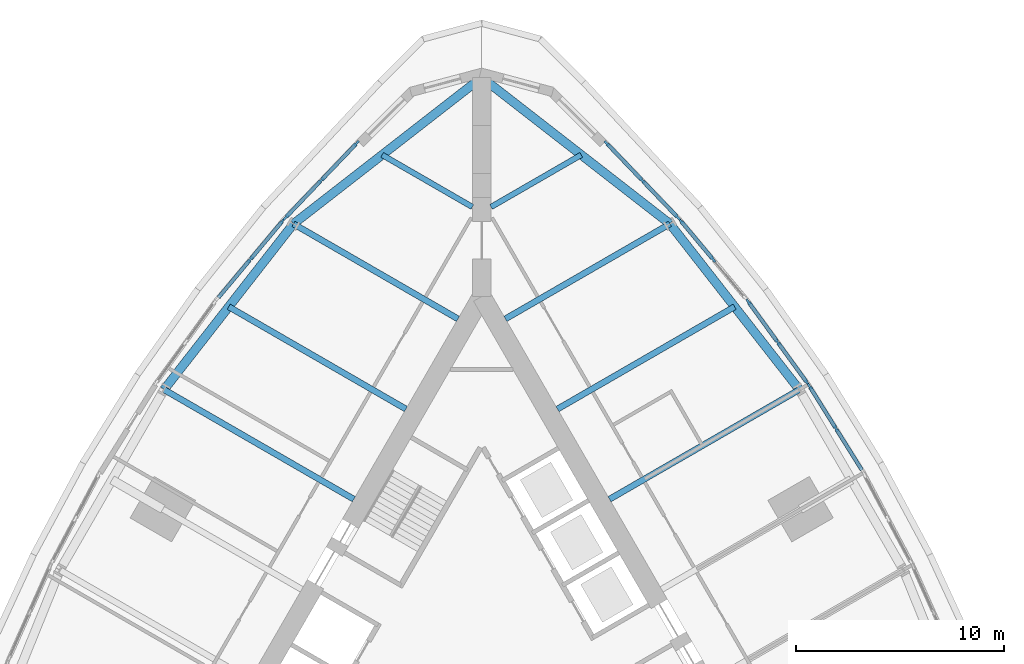
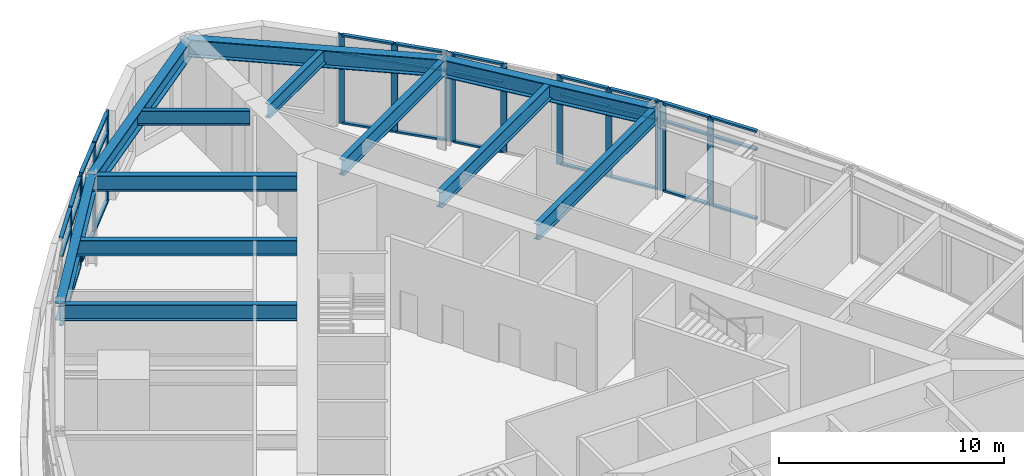
# One storey, part 5 of 14: 48 members, 12 beams, 6 elements without a shape of their own.
"""IFC4 building model written with IfcOpenShell, lengths in metres."""

from ifc_helpers import new_model, si_unit, direction, frame, origin, origin_2d, place, context, subcontext, project, spatial, rectangle, i_section, extrude, material, material_profile, profile_set, type_object, element, aggregate, save


model = new_model("IFC4")

# Units and contexts
model_context = context("Model", 3, precision=1e-05, world=origin(), true_north=direction((0.0, 1.0)))
body_context = subcontext(model_context, "Body", "Model", "MODEL_VIEW")
ifc_project = project(units=[si_unit("LENGTHUNIT", "METRE"), si_unit("AREAUNIT", "SQUARE_METRE"), si_unit("VOLUMEUNIT", "CUBIC_METRE"), si_unit("PLANEANGLEUNIT", "RADIAN"), si_unit("MASSUNIT", "GRAM", prefix="KILO")], contexts=[model_context])

# Site, building, storey
site_placement = place(None, origin())
site = spatial("IfcSite", under=ifc_project, at=site_placement, CompositionType="ELEMENT")
building_placement = place(site_placement, origin())
building = spatial("IfcBuilding", under=site, at=building_placement, Name="Trikona Tower", CompositionType="ELEMENT")
storey_placement = place(building_placement, frame((0.0, 0.0, 109.699951171875)))
storey = spatial("IfcBuildingStorey", under=building, at=storey_placement, Name="L28", CompositionType="ELEMENT", Elevation=109.699951171875)

# Curtain wall, members
ifc_material_1 = material(Name="Aluminium curtain wall system", Category="aluminium")
curtain_wall_type = type_object("IfcCurtainWallType", Name="Curtain wall SL", PredefinedType="NOTDEFINED", material=ifc_material_1)
curtain_wall_1_placement = place(storey_placement, origin())
curtain_wall_1 = element("IfcCurtainWall", 1, at=curtain_wall_1_placement, inside=storey, type_object=curtain_wall_type, Name="Curtain wall SL L28", PredefinedType="NOTDEFINED")
ifc_material_2 = material(Name="Aluminium mullion, pale anodised", Category="aluminium")
ifc_material_profile_1 = material_profile(ifc_material_2, rectangle(XDim=0.10009765625, YDim=0.300048828125, at=origin_2d()), Name="MUL-SL")
ifc_profile_set_1 = profile_set([ifc_material_profile_1], Name="Aluminium mullion, pale anodised")
member_type_1 = type_object("IfcMemberType", Name="Mullion SL 100x300", PredefinedType="MULLION", material=ifc_profile_set_1)
member_1_placement = place(storey_placement, frame((17.014404296875, 12.705810546875, 0.0), z_axis=(0.0, 0.0, 1.0), x_axis=(-0.847998304006, -0.529998940002, 0.0)))
member_1 = element("IfcMember", 2, at=member_1_placement, type_object=member_type_1, Name="CW-SL mullion 2", PredefinedType="MULLION", context=body_context, shape_type="SweptSolid", body=[
    extrude(rectangle(XDim=0.10009765625, YDim=0.300048828125, at=origin_2d()), origin(), (0.0, 0.0, 1.0), 4.8349609375),
])
member_2_placement = place(storey_placement, frame((15.746826171875, 14.73388671875, 0.0), z_axis=(0.0, 0.0, 1.0), x_axis=(-0.847998304006, -0.529998940002, 0.0)))
member_2 = element("IfcMember", 3, at=member_2_placement, type_object=member_type_1, Name="CW-SL mullion 3", PredefinedType="MULLION", context=body_context, shape_type="SweptSolid", body=[
    extrude(rectangle(XDim=0.10009765625, YDim=0.300048828125, at=origin_2d()), origin(), (0.0, 0.0, 1.0), 4.8349609375),
])

curtain_wall_2_placement = place(storey_placement, origin())
curtain_wall_2 = element("IfcCurtainWall", 4, at=curtain_wall_2_placement, inside=storey, type_object=curtain_wall_type, Name="Curtain wall SL L28", PredefinedType="NOTDEFINED")
member_3_placement = place(storey_placement, frame((15.627685546875, 14.910400390625, 0.0), z_axis=(0.0, 0.0, 1.0), x_axis=(-0.809095452388, -0.587677248943, 0.0)))
member_3 = element("IfcMember", 5, at=member_3_placement, type_object=member_type_1, Name="CW-SL mullion 1", PredefinedType="MULLION", context=body_context, shape_type="SweptSolid", body=[
    extrude(rectangle(XDim=0.10009765625, YDim=0.300048828125, at=origin_2d()), origin(), (0.0, 0.0, 1.0), 4.8349609375),
])
member_4_placement = place(storey_placement, frame((14.215087890625, 16.855224609375, 0.0), z_axis=(0.0, 0.0, 1.0), x_axis=(-0.809095452388, -0.587677248943, 0.0)))
member_4 = element("IfcMember", 6, at=member_4_placement, type_object=member_type_1, Name="CW-SL mullion 2", PredefinedType="MULLION", context=body_context, shape_type="SweptSolid", body=[
    extrude(rectangle(XDim=0.10009765625, YDim=0.300048828125, at=origin_2d()), origin(), (0.0, 0.0, 1.0), 4.8349609375),
])
member_5_placement = place(storey_placement, frame((12.802490234375, 18.800048828125, 0.0), z_axis=(0.0, 0.0, 1.0), x_axis=(-0.809095452388, -0.587677248943, 0.0)))
member_5 = element("IfcMember", 7, at=member_5_placement, type_object=member_type_1, Name="CW-SL mullion 3", PredefinedType="MULLION", context=body_context, shape_type="SweptSolid", body=[
    extrude(rectangle(XDim=0.10009765625, YDim=0.300048828125, at=origin_2d()), origin(), (0.0, 0.0, 1.0), 4.8349609375),
])

curtain_wall_3_placement = place(storey_placement, origin())
curtain_wall_3 = element("IfcCurtainWall", 8, at=curtain_wall_3_placement, inside=storey, type_object=curtain_wall_type, Name="Curtain wall SL L28", PredefinedType="NOTDEFINED")
member_6_placement = place(storey_placement, frame((11.113037109375, 20.830078125, 0.0), z_axis=(0.0, 0.0, 1.0), x_axis=(-0.766866678271, -0.641806433248, 0.0)))
member_6 = element("IfcMember", 9, at=member_6_placement, type_object=member_type_1, Name="CW-SL mullion 2", PredefinedType="MULLION", context=body_context, shape_type="SweptSolid", body=[
    extrude(rectangle(XDim=0.10009765625, YDim=0.300048828125, at=origin_2d()), origin(), (0.0, 0.0, 1.0), 4.8349609375),
])
member_7_placement = place(storey_placement, frame((9.5546875, 22.69189453125, 0.0), z_axis=(0.0, 0.0, 1.0), x_axis=(-0.766866678271, -0.641806433248, 0.0)))
member_7 = element("IfcMember", 10, at=member_7_placement, type_object=member_type_1, Name="CW-SL mullion 3", PredefinedType="MULLION", context=body_context, shape_type="SweptSolid", body=[
    extrude(rectangle(XDim=0.10009765625, YDim=0.300048828125, at=origin_2d()), origin(), (0.0, 0.0, 1.0), 4.8349609375),
])

curtain_wall_4_placement = place(storey_placement, origin())
curtain_wall_4 = element("IfcCurtainWall", 11, at=curtain_wall_4_placement, inside=storey, type_object=curtain_wall_type, Name="Curtain wall SL L28", PredefinedType="NOTDEFINED")
member_8_placement = place(storey_placement, frame((9.41259765625, 22.850830078125, 0.0), z_axis=(0.0, 0.0, 1.0), x_axis=(-0.722158330767, -0.691727797117, 0.0)))
member_8 = element("IfcMember", 12, at=member_8_placement, type_object=member_type_1, Name="CW-SL mullion 1", PredefinedType="MULLION", context=body_context, shape_type="SweptSolid", body=[
    extrude(rectangle(XDim=0.10009765625, YDim=0.300048828125, at=origin_2d()), origin(), (0.0, 0.0, 1.0), 4.8349609375),
])
member_9_placement = place(storey_placement, frame((7.708251953125, 24.630126953125, 0.0), z_axis=(0.0, 0.0, 1.0), x_axis=(-0.722158330767, -0.691727797117, 0.0)))
member_9 = element("IfcMember", 13, at=member_9_placement, type_object=member_type_1, Name="CW-SL mullion 2", PredefinedType="MULLION", context=body_context, shape_type="SweptSolid", body=[
    extrude(rectangle(XDim=0.10009765625, YDim=0.300048828125, at=origin_2d()), origin(), (0.0, 0.0, 1.0), 4.8349609375),
])
member_10_placement = place(storey_placement, frame((6.00390625, 26.409423828125, 0.0), z_axis=(0.0, 0.0, 1.0), x_axis=(-0.722158330767, -0.691727797117, 0.0)))
member_10 = element("IfcMember", 14, at=member_10_placement, type_object=member_type_1, Name="CW-SL mullion 3", PredefinedType="MULLION", context=body_context, shape_type="SweptSolid", body=[
    extrude(rectangle(XDim=0.10009765625, YDim=0.300048828125, at=origin_2d()), origin(), (0.0, 0.0, 1.0), 4.8349609375),
])

curtain_wall_5_placement = place(storey_placement, origin())
curtain_wall_5 = element("IfcCurtainWall", 15, at=curtain_wall_5_placement, inside=storey, type_object=curtain_wall_type, Name="Curtain wall SL L28", PredefinedType="NOTDEFINED")
member_11_placement = place(storey_placement, frame((-6.00390625, 26.409423828125, 0.0), z_axis=(0.0, 0.0, 1.0), x_axis=(0.722158330767, -0.691727797117, 0.0)))
member_11 = element("IfcMember", 16, at=member_11_placement, type_object=member_type_1, Name="CW-SL mullion 1", PredefinedType="MULLION", context=body_context, shape_type="SweptSolid", body=[
    extrude(rectangle(XDim=0.10009765625, YDim=0.300048828125, at=origin_2d()), origin(), (0.0, 0.0, 1.0), 4.8349609375),
])
member_12_placement = place(storey_placement, frame((-7.708251953125, 24.630126953125, 0.0), z_axis=(0.0, 0.0, 1.0), x_axis=(0.722158330767, -0.691727797117, 0.0)))
member_12 = element("IfcMember", 17, at=member_12_placement, type_object=member_type_1, Name="CW-SL mullion 2", PredefinedType="MULLION", context=body_context, shape_type="SweptSolid", body=[
    extrude(rectangle(XDim=0.10009765625, YDim=0.300048828125, at=origin_2d()), origin(), (0.0, 0.0, 1.0), 4.8349609375),
])
member_13_placement = place(storey_placement, frame((-9.41259765625, 22.850830078125, 0.0), z_axis=(0.0, 0.0, 1.0), x_axis=(0.722158330767, -0.691727797117, 0.0)))
member_13 = element("IfcMember", 18, at=member_13_placement, type_object=member_type_1, Name="CW-SL mullion 3", PredefinedType="MULLION", context=body_context, shape_type="SweptSolid", body=[
    extrude(rectangle(XDim=0.10009765625, YDim=0.300048828125, at=origin_2d()), origin(), (0.0, 0.0, 1.0), 4.8349609375),
])

curtain_wall_6_placement = place(storey_placement, origin())
curtain_wall_6 = element("IfcCurtainWall", 19, at=curtain_wall_6_placement, inside=storey, type_object=curtain_wall_type, Name="Curtain wall SL L28", PredefinedType="NOTDEFINED")
member_14_placement = place(storey_placement, frame((-9.5546875, 22.69189453125, 0.0), z_axis=(0.0, 0.0, 1.0), x_axis=(0.766866678271, -0.641806433248, 0.0)))
member_14 = element("IfcMember", 20, at=member_14_placement, type_object=member_type_1, Name="CW-SL mullion 1", PredefinedType="MULLION", context=body_context, shape_type="SweptSolid", body=[
    extrude(rectangle(XDim=0.10009765625, YDim=0.300048828125, at=origin_2d()), origin(), (0.0, 0.0, 1.0), 4.8349609375),
])
member_15_placement = place(storey_placement, frame((-11.113037109375, 20.830078125, 0.0), z_axis=(0.0, 0.0, 1.0), x_axis=(0.766866678271, -0.641806433248, 0.0)))
member_15 = element("IfcMember", 21, at=member_15_placement, type_object=member_type_1, Name="CW-SL mullion 2", PredefinedType="MULLION", context=body_context, shape_type="SweptSolid", body=[
    extrude(rectangle(XDim=0.10009765625, YDim=0.300048828125, at=origin_2d()), origin(), (0.0, 0.0, 1.0), 4.8349609375),
])

# Beams
ifc_material_3 = material(Name="Steel ASTM A992 Grade 50", Category="steel")
ifc_material_profile_2 = material_profile(ifc_material_3, i_section(OverallWidth=0.2666015625, OverallDepth=0.76953125, WebThickness=0.015625, FlangeThickness=0.025390625, at=origin_2d()), Name="W30X132")
ifc_profile_set_2 = profile_set([ifc_material_profile_2], Name="Steel ASTM A992 Grade 50")
beam_type_1 = type_object("IfcBeamType", Name="Steel beam W30x132 (wedge)", PredefinedType="BEAM", material=ifc_profile_set_2)
for number, where, z_axis, x_axis, name in (
    (22, (0.449951171875, 23.353759765625, 4.4501953125), (0.866038434829, 0.49997742889, 0.0), (-0.49997742889, 0.866038434829, 0.0), "Floor beam L29 F2 u20"),
    (23, (-0.449951171875, 23.353759765625, 4.4501953125), (-0.866038434829, 0.49997742889, 0.0), (-0.49997742889, -0.866038434829, 0.0), "Floor beam L29 F3 u-20"),
):
    element("IfcBeam", number, at=place(storey_placement, frame(where, z_axis=z_axis, x_axis=x_axis)), inside=storey, type_object=beam_type_1, Name=name, PredefinedType="BEAM", context=body_context, shape_type="SweptSolid", body=[
        extrude(i_section(OverallWidth=0.2666015625, OverallDepth=0.76953125, WebThickness=0.015625, FlangeThickness=0.025390625, at=origin_2d()), origin(), (0.0, 0.0, 1.0), 5.000732421875),
    ])
ifc_material_4 = material(Name="Steel ASTM A992 Grade 50", Category="steel")
ifc_material_profile_3 = material_profile(ifc_material_4, i_section(OverallWidth=0.2919921875, OverallDepth=0.845703125, WebThickness=0.015380859375, FlangeThickness=0.0244140625, at=origin_2d()), Name="W33X141")
ifc_profile_set_3 = profile_set([ifc_material_profile_3], Name="Steel ASTM A992 Grade 50")
beam_type_2 = type_object("IfcBeamType", Name="Steel beam W33x141 (radial typ)", PredefinedType="BEAM", material=ifc_profile_set_3)
beam_1_placement = place(storey_placement, frame((6.1396484375, 9.318359375, 4.412109375), z_axis=(0.866036080828, 0.499981506362, 0.0), x_axis=(-0.499981506362, 0.866036080828, 0.0)))
element("IfcBeam", 24, at=beam_1_placement, inside=storey, type_object=beam_type_2, Name="Floor beam L29 F2 u5", PredefinedType="BEAM", context=body_context, shape_type="SweptSolid", body=[
    extrude(i_section(OverallWidth=0.2919921875, OverallDepth=0.845703125, WebThickness=0.015380859375, FlangeThickness=0.0244140625, at=origin_2d()), origin(), (0.0, 0.0, 1.0), 10.52392578125),
])
beam_2_placement = place(storey_placement, frame((3.6396484375, 13.6484375, 4.412109375), z_axis=(0.866030807744, 0.499990639951, 0.0), x_axis=(-0.499990639951, 0.866030807744, 0.0)))
element("IfcBeam", 25, at=beam_2_placement, inside=storey, type_object=beam_type_2, Name="Floor beam L29 F2 u10", PredefinedType="BEAM", context=body_context, shape_type="SweptSolid", body=[
    extrude(i_section(OverallWidth=0.2919921875, OverallDepth=0.845703125, WebThickness=0.015380859375, FlangeThickness=0.0244140625, at=origin_2d()), origin(), (0.0, 0.0, 1.0), 9.823974609375),
])
for number, where, z_axis, x_axis, name in (
    (26, (1.1396484375, 17.978515625, 4.412109375), (0.866024725532, 0.500001174766, 0.0), (-0.500001174766, 0.866024725532, 0.0), "Floor beam L29 F2 u15"),
    (27, (-1.1396484375, 17.978515625, 4.412109375), (-0.866024725532, 0.500001174766, 0.0), (-0.500001174766, -0.866024725532, 0.0), "Floor beam L29 F3 u-15"),
):
    element("IfcBeam", number, at=place(storey_placement, frame(where, z_axis=z_axis, x_axis=x_axis)), inside=storey, type_object=beam_type_2, Name=name, PredefinedType="BEAM", context=body_context, shape_type="SweptSolid", body=[
        extrude(i_section(OverallWidth=0.2919921875, OverallDepth=0.845703125, WebThickness=0.015380859375, FlangeThickness=0.0244140625, at=origin_2d()), origin(), (0.0, 0.0, 1.0), 9.1240234375),
    ])
beam_3_placement = place(storey_placement, frame((-3.6396484375, 13.6484375, 4.412109375), z_axis=(-0.866030807744, 0.499990639951, 0.0), x_axis=(-0.499990639951, -0.866030807744, 0.0)))
element("IfcBeam", 28, at=beam_3_placement, inside=storey, type_object=beam_type_2, Name="Floor beam L29 F3 u-10", PredefinedType="BEAM", context=body_context, shape_type="SweptSolid", body=[
    extrude(i_section(OverallWidth=0.2919921875, OverallDepth=0.845703125, WebThickness=0.015380859375, FlangeThickness=0.0244140625, at=origin_2d()), origin(), (0.0, 0.0, 1.0), 9.823974609375),
])
beam_4_placement = place(storey_placement, frame((-6.1396484375, 9.318359375, 4.412109375), z_axis=(-0.866036080828, 0.499981506362, 0.0), x_axis=(-0.499981506362, -0.866036080828, 0.0)))
element("IfcBeam", 29, at=beam_4_placement, inside=storey, type_object=beam_type_2, Name="Floor beam L29 F3 u-5", PredefinedType="BEAM", context=body_context, shape_type="SweptSolid", body=[
    extrude(i_section(OverallWidth=0.2919921875, OverallDepth=0.845703125, WebThickness=0.015380859375, FlangeThickness=0.0244140625, at=origin_2d()), origin(), (0.0, 0.0, 1.0), 10.52392578125),
])
ifc_material_5 = material(Name="Steel ASTM A992 Grade 50", Category="steel")
ifc_material_profile_4 = material_profile(ifc_material_5, i_section(OverallWidth=0.424072265625, OverallDepth=0.947509765625, WebThickness=0.02392578125, FlangeThickness=0.042724609375, at=origin_2d()), Name="W36X302")
ifc_profile_set_4 = profile_set([ifc_material_profile_4], Name="Steel ASTM A992 Grade 50")
beam_type_3 = type_object("IfcBeamType", Name="Steel beam W36x302 (spandrel)", PredefinedType="SPANDREL", material=ifc_profile_set_4)
beam_5_placement = place(storey_placement, frame((15.253662109375, 14.580078125, 4.361328125), z_axis=(-0.615232009054, 0.788346101046, 0.0), x_axis=(-0.788346101046, -0.615232009054, 0.0)))
element("IfcBeam", 30, at=beam_5_placement, inside=storey, type_object=beam_type_3, Name="Spandrel beam L29 F2-4", PredefinedType="SPANDREL", context=body_context, shape_type="SweptSolid", body=[
    extrude(i_section(OverallWidth=0.424072265625, OverallDepth=0.947509765625, WebThickness=0.02392578125, FlangeThickness=0.042724609375, at=origin_2d()), origin(), (0.0, 0.0, 1.0), 10.09765625),
])
for number, where, z_axis, x_axis, name in (
    (31, (9.041259765625, 22.54052734375, 4.361328125), (-0.789367137808, 0.613921429621, 0.0), (-0.613921429621, -0.789367137808, 0.0), "Spandrel beam L29 F2-5"),
    (32, (0.0, 29.572265625, 4.361328125), (-0.789367137808, -0.613921429621, 0.0), (0.613921429621, -0.789367137808, 0.0), "Spandrel beam L29 F3-1"),
):
    element("IfcBeam", number, at=place(storey_placement, frame(where, z_axis=z_axis, x_axis=x_axis)), inside=storey, type_object=beam_type_3, Name=name, PredefinedType="SPANDREL", context=body_context, shape_type="SweptSolid", body=[
        extrude(i_section(OverallWidth=0.424072265625, OverallDepth=0.947509765625, WebThickness=0.02392578125, FlangeThickness=0.042724609375, at=origin_2d()), origin(), (0.0, 0.0, 1.0), 11.453857421875),
    ])
beam_6_placement = place(storey_placement, frame((-9.041259765625, 22.54052734375, 4.361328125), z_axis=(-0.615232009054, -0.788346101046, 0.0), x_axis=(0.788346101046, -0.615232009054, 0.0)))
element("IfcBeam", 33, at=beam_6_placement, inside=storey, type_object=beam_type_3, Name="Spandrel beam L29 F3-2", PredefinedType="SPANDREL", context=body_context, shape_type="SweptSolid", body=[
    extrude(i_section(OverallWidth=0.424072265625, OverallDepth=0.947509765625, WebThickness=0.02392578125, FlangeThickness=0.042724609375, at=origin_2d()), origin(), (0.0, 0.0, 1.0), 10.09765625),
])

# Member
ifc_material_6 = material(Name="Aluminium transom, pale anodised", Category="aluminium")
ifc_material_profile_5 = material_profile(ifc_material_6, rectangle(XDim=0.179931640625, YDim=0.10009765625, at=origin_2d()), Name="TRN-SL")
ifc_profile_set_5 = profile_set([ifc_material_profile_5], Name="Aluminium transom, pale anodised")
member_type_2 = type_object("IfcMemberType", Name="Transom SL 100x180", PredefinedType="USERDEFINED", material=ifc_profile_set_5)
member_16_placement = place(storey_placement, frame((18.25537109375, 10.72021484375, 0.050048828125), z_axis=(-0.529998940003, 0.847998304005, 0.0), x_axis=(-0.847998304005, -0.529998940003, 0.0)))
member_16 = element("IfcMember", 34, at=member_16_placement, type_object=member_type_2, Name="CW-SL transom 1.1", ObjectType="TRANSOM", PredefinedType="USERDEFINED", context=body_context, shape_type="SweptSolid", body=[
    extrude(rectangle(XDim=0.179931640625, YDim=0.10009765625, at=origin_2d()), origin(), (0.0, 0.0, 1.0), 2.291748046875),
])

member_17_placement = place(storey_placement, frame((18.25537109375, 10.72021484375, 3.800048828125), z_axis=(-0.529998940003, 0.847998304005, 0.0), x_axis=(-0.847998304005, -0.529998940003, 0.0)))
member_17 = element("IfcMember", 35, at=member_17_placement, type_object=member_type_2, Name="CW-SL transom 1.2", ObjectType="TRANSOM", PredefinedType="USERDEFINED", context=body_context, shape_type="SweptSolid", body=[
    extrude(rectangle(XDim=0.179931640625, YDim=0.10009765625, at=origin_2d()), origin(), (0.0, 0.0, 1.0), 2.291748046875),
])

member_18_placement = place(storey_placement, frame((18.25537109375, 10.72021484375, 4.78515625), z_axis=(-0.529998940003, 0.847998304005, 0.0), x_axis=(-0.847998304005, -0.529998940003, 0.0)))
member_18 = element("IfcMember", 36, at=member_18_placement, type_object=member_type_2, Name="CW-SL transom 1.3", ObjectType="TRANSOM", PredefinedType="USERDEFINED", context=body_context, shape_type="SweptSolid", body=[
    extrude(rectangle(XDim=0.179931640625, YDim=0.10009765625, at=origin_2d()), origin(), (0.0, 0.0, 1.0), 2.291748046875),
])

member_19_placement = place(storey_placement, frame((16.98779296875, 12.748291015625, 0.050048828125), z_axis=(-0.530046823237, 0.847968375104, 0.0), x_axis=(-0.847968375104, -0.530046823237, 0.0)))
member_19 = element("IfcMember", 37, at=member_19_placement, type_object=member_type_2, Name="CW-SL transom 2.1", ObjectType="TRANSOM", PredefinedType="USERDEFINED", context=body_context, shape_type="SweptSolid", body=[
    extrude(rectangle(XDim=0.179931640625, YDim=0.10009765625, at=origin_2d()), origin(), (0.0, 0.0, 1.0), 2.29150390625),
])

member_20_placement = place(storey_placement, frame((16.98779296875, 12.748291015625, 3.800048828125), z_axis=(-0.530046823237, 0.847968375104, 0.0), x_axis=(-0.847968375104, -0.530046823237, 0.0)))
member_20 = element("IfcMember", 38, at=member_20_placement, type_object=member_type_2, Name="CW-SL transom 2.2", ObjectType="TRANSOM", PredefinedType="USERDEFINED", context=body_context, shape_type="SweptSolid", body=[
    extrude(rectangle(XDim=0.179931640625, YDim=0.10009765625, at=origin_2d()), origin(), (0.0, 0.0, 1.0), 2.29150390625),
])

member_21_placement = place(storey_placement, frame((16.98779296875, 12.748291015625, 4.78515625), z_axis=(-0.530046823237, 0.847968375104, 0.0), x_axis=(-0.847968375104, -0.530046823237, 0.0)))
member_21 = element("IfcMember", 39, at=member_21_placement, type_object=member_type_2, Name="CW-SL transom 2.3", ObjectType="TRANSOM", PredefinedType="USERDEFINED", context=body_context, shape_type="SweptSolid", body=[
    extrude(rectangle(XDim=0.179931640625, YDim=0.10009765625, at=origin_2d()), origin(), (0.0, 0.0, 1.0), 2.29150390625),
])

aggregate(curtain_wall_1, [member_1, member_2, member_16, member_17, member_18, member_19, member_20, member_21])

member_22_placement = place(storey_placement, frame((15.598388671875, 14.950927734375, 0.050048828125), z_axis=(-0.587705335322, 0.809075051422, 0.0), x_axis=(-0.809075051422, -0.587705335322, 0.0)))
member_22 = element("IfcMember", 40, at=member_22_placement, type_object=member_type_2, Name="CW-SL transom 1.1", ObjectType="TRANSOM", PredefinedType="USERDEFINED", context=body_context, shape_type="SweptSolid", body=[
    extrude(rectangle(XDim=0.179931640625, YDim=0.10009765625, at=origin_2d()), origin(), (0.0, 0.0, 1.0), 2.303955078125),
])

member_23_placement = place(storey_placement, frame((15.598388671875, 14.950927734375, 3.800048828125), z_axis=(-0.587705335322, 0.809075051422, 0.0), x_axis=(-0.809075051422, -0.587705335322, 0.0)))
member_23 = element("IfcMember", 41, at=member_23_placement, type_object=member_type_2, Name="CW-SL transom 1.2", ObjectType="TRANSOM", PredefinedType="USERDEFINED", context=body_context, shape_type="SweptSolid", body=[
    extrude(rectangle(XDim=0.179931640625, YDim=0.10009765625, at=origin_2d()), origin(), (0.0, 0.0, 1.0), 2.303955078125),
])

member_24_placement = place(storey_placement, frame((15.598388671875, 14.950927734375, 4.78515625), z_axis=(-0.587705335322, 0.809075051422, 0.0), x_axis=(-0.809075051422, -0.587705335322, 0.0)))
member_24 = element("IfcMember", 42, at=member_24_placement, type_object=member_type_2, Name="CW-SL transom 1.3", ObjectType="TRANSOM", PredefinedType="USERDEFINED", context=body_context, shape_type="SweptSolid", body=[
    extrude(rectangle(XDim=0.179931640625, YDim=0.10009765625, at=origin_2d()), origin(), (0.0, 0.0, 1.0), 2.303955078125),
])

member_25_placement = place(storey_placement, frame((14.185791015625, 16.895751953125, 0.050048828125), z_axis=(-0.587705335322, 0.809075051422, 0.0), x_axis=(-0.809075051422, -0.587705335322, 0.0)))
member_25 = element("IfcMember", 43, at=member_25_placement, type_object=member_type_2, Name="CW-SL transom 2.1", ObjectType="TRANSOM", PredefinedType="USERDEFINED", context=body_context, shape_type="SweptSolid", body=[
    extrude(rectangle(XDim=0.179931640625, YDim=0.10009765625, at=origin_2d()), origin(), (0.0, 0.0, 1.0), 2.303955078125),
])

member_26_placement = place(storey_placement, frame((14.185791015625, 16.895751953125, 3.800048828125), z_axis=(-0.587705335322, 0.809075051422, 0.0), x_axis=(-0.809075051422, -0.587705335322, 0.0)))
member_26 = element("IfcMember", 44, at=member_26_placement, type_object=member_type_2, Name="CW-SL transom 2.2", ObjectType="TRANSOM", PredefinedType="USERDEFINED", context=body_context, shape_type="SweptSolid", body=[
    extrude(rectangle(XDim=0.179931640625, YDim=0.10009765625, at=origin_2d()), origin(), (0.0, 0.0, 1.0), 2.303955078125),
])

member_27_placement = place(storey_placement, frame((14.185791015625, 16.895751953125, 4.78515625), z_axis=(-0.587705335322, 0.809075051422, 0.0), x_axis=(-0.809075051422, -0.587705335322, 0.0)))
member_27 = element("IfcMember", 45, at=member_27_placement, type_object=member_type_2, Name="CW-SL transom 2.3", ObjectType="TRANSOM", PredefinedType="USERDEFINED", context=body_context, shape_type="SweptSolid", body=[
    extrude(rectangle(XDim=0.179931640625, YDim=0.10009765625, at=origin_2d()), origin(), (0.0, 0.0, 1.0), 2.303955078125),
])

aggregate(curtain_wall_2, [member_3, member_4, member_5, member_22, member_23, member_24, member_25, member_26, member_27])

member_28_placement = place(storey_placement, frame((11.0810546875, 20.868408203125, 0.050048828125), z_axis=(-0.641833409879, 0.766844100169, 0.0), x_axis=(-0.766844100169, -0.641833409879, 0.0)))
member_28 = element("IfcMember", 46, at=member_28_placement, type_object=member_type_2, Name="CW-SL transom 2.1", ObjectType="TRANSOM", PredefinedType="USERDEFINED", context=body_context, shape_type="SweptSolid", body=[
    extrude(rectangle(XDim=0.179931640625, YDim=0.10009765625, at=origin_2d()), origin(), (0.0, 0.0, 1.0), 2.327880859375),
])

member_29_placement = place(storey_placement, frame((11.0810546875, 20.868408203125, 3.800048828125), z_axis=(-0.641833409879, 0.766844100169, 0.0), x_axis=(-0.766844100169, -0.641833409879, 0.0)))
member_29 = element("IfcMember", 47, at=member_29_placement, type_object=member_type_2, Name="CW-SL transom 2.2", ObjectType="TRANSOM", PredefinedType="USERDEFINED", context=body_context, shape_type="SweptSolid", body=[
    extrude(rectangle(XDim=0.179931640625, YDim=0.10009765625, at=origin_2d()), origin(), (0.0, 0.0, 1.0), 2.327880859375),
])

member_30_placement = place(storey_placement, frame((11.0810546875, 20.868408203125, 4.78515625), z_axis=(-0.641833409879, 0.766844100169, 0.0), x_axis=(-0.766844100169, -0.641833409879, 0.0)))
member_30 = element("IfcMember", 48, at=member_30_placement, type_object=member_type_2, Name="CW-SL transom 2.3", ObjectType="TRANSOM", PredefinedType="USERDEFINED", context=body_context, shape_type="SweptSolid", body=[
    extrude(rectangle(XDim=0.179931640625, YDim=0.10009765625, at=origin_2d()), origin(), (0.0, 0.0, 1.0), 2.327880859375),
])

aggregate(curtain_wall_3, [member_6, member_7, member_28, member_29, member_30])

member_31_placement = place(storey_placement, frame((9.3779296875, 22.886962890625, 0.050048828125), z_axis=(-0.691707925126, 0.722177364862, 0.0), x_axis=(-0.722177364862, -0.691707925126, 0.0)))
member_31 = element("IfcMember", 49, at=member_31_placement, type_object=member_type_2, Name="CW-SL transom 1.1", ObjectType="TRANSOM", PredefinedType="USERDEFINED", context=body_context, shape_type="SweptSolid", body=[
    extrude(rectangle(XDim=0.179931640625, YDim=0.10009765625, at=origin_2d()), origin(), (0.0, 0.0, 1.0), 2.36376953125),
])

member_32_placement = place(storey_placement, frame((9.3779296875, 22.886962890625, 3.800048828125), z_axis=(-0.691707925126, 0.722177364862, 0.0), x_axis=(-0.722177364862, -0.691707925126, 0.0)))
member_32 = element("IfcMember", 50, at=member_32_placement, type_object=member_type_2, Name="CW-SL transom 1.2", ObjectType="TRANSOM", PredefinedType="USERDEFINED", context=body_context, shape_type="SweptSolid", body=[
    extrude(rectangle(XDim=0.179931640625, YDim=0.10009765625, at=origin_2d()), origin(), (0.0, 0.0, 1.0), 2.36376953125),
])

member_33_placement = place(storey_placement, frame((9.3779296875, 22.886962890625, 4.78515625), z_axis=(-0.691707925126, 0.722177364862, 0.0), x_axis=(-0.722177364862, -0.691707925126, 0.0)))
member_33 = element("IfcMember", 51, at=member_33_placement, type_object=member_type_2, Name="CW-SL transom 1.3", ObjectType="TRANSOM", PredefinedType="USERDEFINED", context=body_context, shape_type="SweptSolid", body=[
    extrude(rectangle(XDim=0.179931640625, YDim=0.10009765625, at=origin_2d()), origin(), (0.0, 0.0, 1.0), 2.36376953125),
])

member_34_placement = place(storey_placement, frame((7.673583984375, 24.666259765625, 0.050048828125), z_axis=(-0.691707925126, 0.722177364862, 0.0), x_axis=(-0.722177364862, -0.691707925126, 0.0)))
member_34 = element("IfcMember", 52, at=member_34_placement, type_object=member_type_2, Name="CW-SL transom 2.1", ObjectType="TRANSOM", PredefinedType="USERDEFINED", context=body_context, shape_type="SweptSolid", body=[
    extrude(rectangle(XDim=0.179931640625, YDim=0.10009765625, at=origin_2d()), origin(), (0.0, 0.0, 1.0), 2.36376953125),
])

member_35_placement = place(storey_placement, frame((7.673583984375, 24.666259765625, 3.800048828125), z_axis=(-0.691707925126, 0.722177364862, 0.0), x_axis=(-0.722177364862, -0.691707925126, 0.0)))
member_35 = element("IfcMember", 53, at=member_35_placement, type_object=member_type_2, Name="CW-SL transom 2.2", ObjectType="TRANSOM", PredefinedType="USERDEFINED", context=body_context, shape_type="SweptSolid", body=[
    extrude(rectangle(XDim=0.179931640625, YDim=0.10009765625, at=origin_2d()), origin(), (0.0, 0.0, 1.0), 2.36376953125),
])

member_36_placement = place(storey_placement, frame((7.673583984375, 24.666259765625, 4.78515625), z_axis=(-0.691707925126, 0.722177364862, 0.0), x_axis=(-0.722177364862, -0.691707925126, 0.0)))
member_36 = element("IfcMember", 54, at=member_36_placement, type_object=member_type_2, Name="CW-SL transom 2.3", ObjectType="TRANSOM", PredefinedType="USERDEFINED", context=body_context, shape_type="SweptSolid", body=[
    extrude(rectangle(XDim=0.179931640625, YDim=0.10009765625, at=origin_2d()), origin(), (0.0, 0.0, 1.0), 2.36376953125),
])

aggregate(curtain_wall_4, [member_8, member_9, member_10, member_31, member_32, member_33, member_34, member_35, member_36])

member_37_placement = place(storey_placement, frame((-6.03857421875, 26.373291015625, 0.050048828125), z_axis=(-0.691707925126, -0.722177364862, 0.0), x_axis=(0.722177364862, -0.691707925126, 0.0)))
member_37 = element("IfcMember", 55, at=member_37_placement, type_object=member_type_2, Name="CW-SL transom 1.1", ObjectType="TRANSOM", PredefinedType="USERDEFINED", context=body_context, shape_type="SweptSolid", body=[
    extrude(rectangle(XDim=0.179931640625, YDim=0.10009765625, at=origin_2d()), origin(), (0.0, 0.0, 1.0), 2.36376953125),
])

member_38_placement = place(storey_placement, frame((-6.03857421875, 26.373291015625, 3.800048828125), z_axis=(-0.691707925126, -0.722177364862, 0.0), x_axis=(0.722177364862, -0.691707925126, 0.0)))
member_38 = element("IfcMember", 56, at=member_38_placement, type_object=member_type_2, Name="CW-SL transom 1.2", ObjectType="TRANSOM", PredefinedType="USERDEFINED", context=body_context, shape_type="SweptSolid", body=[
    extrude(rectangle(XDim=0.179931640625, YDim=0.10009765625, at=origin_2d()), origin(), (0.0, 0.0, 1.0), 2.36376953125),
])

member_39_placement = place(storey_placement, frame((-6.03857421875, 26.373291015625, 4.78515625), z_axis=(-0.691707925126, -0.722177364862, 0.0), x_axis=(0.722177364862, -0.691707925126, 0.0)))
member_39 = element("IfcMember", 57, at=member_39_placement, type_object=member_type_2, Name="CW-SL transom 1.3", ObjectType="TRANSOM", PredefinedType="USERDEFINED", context=body_context, shape_type="SweptSolid", body=[
    extrude(rectangle(XDim=0.179931640625, YDim=0.10009765625, at=origin_2d()), origin(), (0.0, 0.0, 1.0), 2.36376953125),
])

member_40_placement = place(storey_placement, frame((-7.742919921875, 24.593994140625, 0.050048828125), z_axis=(-0.691707925126, -0.722177364862, 0.0), x_axis=(0.722177364862, -0.691707925126, 0.0)))
member_40 = element("IfcMember", 58, at=member_40_placement, type_object=member_type_2, Name="CW-SL transom 2.1", ObjectType="TRANSOM", PredefinedType="USERDEFINED", context=body_context, shape_type="SweptSolid", body=[
    extrude(rectangle(XDim=0.179931640625, YDim=0.10009765625, at=origin_2d()), origin(), (0.0, 0.0, 1.0), 2.36376953125),
])

member_41_placement = place(storey_placement, frame((-7.742919921875, 24.593994140625, 3.800048828125), z_axis=(-0.691707925126, -0.722177364862, 0.0), x_axis=(0.722177364862, -0.691707925126, 0.0)))
member_41 = element("IfcMember", 59, at=member_41_placement, type_object=member_type_2, Name="CW-SL transom 2.2", ObjectType="TRANSOM", PredefinedType="USERDEFINED", context=body_context, shape_type="SweptSolid", body=[
    extrude(rectangle(XDim=0.179931640625, YDim=0.10009765625, at=origin_2d()), origin(), (0.0, 0.0, 1.0), 2.36376953125),
])

member_42_placement = place(storey_placement, frame((-7.742919921875, 24.593994140625, 4.78515625), z_axis=(-0.691707925126, -0.722177364862, 0.0), x_axis=(0.722177364862, -0.691707925126, 0.0)))
member_42 = element("IfcMember", 60, at=member_42_placement, type_object=member_type_2, Name="CW-SL transom 2.3", ObjectType="TRANSOM", PredefinedType="USERDEFINED", context=body_context, shape_type="SweptSolid", body=[
    extrude(rectangle(XDim=0.179931640625, YDim=0.10009765625, at=origin_2d()), origin(), (0.0, 0.0, 1.0), 2.36376953125),
])

aggregate(curtain_wall_5, [member_11, member_12, member_13, member_37, member_38, member_39, member_40, member_41, member_42])

member_43_placement = place(storey_placement, frame((-9.5869140625, 22.653564453125, 0.050048828125), z_axis=(-0.641833409879, -0.766844100169, 0.0), x_axis=(0.766844100169, -0.641833409879, 0.0)))
member_43 = element("IfcMember", 61, at=member_43_placement, type_object=member_type_2, Name="CW-SL transom 1.1", ObjectType="TRANSOM", PredefinedType="USERDEFINED", context=body_context, shape_type="SweptSolid", body=[
    extrude(rectangle(XDim=0.179931640625, YDim=0.10009765625, at=origin_2d()), origin(), (0.0, 0.0, 1.0), 2.327880859375),
])

member_44_placement = place(storey_placement, frame((-9.5869140625, 22.653564453125, 3.800048828125), z_axis=(-0.641833409879, -0.766844100169, 0.0), x_axis=(0.766844100169, -0.641833409879, 0.0)))
member_44 = element("IfcMember", 62, at=member_44_placement, type_object=member_type_2, Name="CW-SL transom 1.2", ObjectType="TRANSOM", PredefinedType="USERDEFINED", context=body_context, shape_type="SweptSolid", body=[
    extrude(rectangle(XDim=0.179931640625, YDim=0.10009765625, at=origin_2d()), origin(), (0.0, 0.0, 1.0), 2.327880859375),
])

member_45_placement = place(storey_placement, frame((-9.5869140625, 22.653564453125, 4.78515625), z_axis=(-0.641833409879, -0.766844100169, 0.0), x_axis=(0.766844100169, -0.641833409879, 0.0)))
member_45 = element("IfcMember", 63, at=member_45_placement, type_object=member_type_2, Name="CW-SL transom 1.3", ObjectType="TRANSOM", PredefinedType="USERDEFINED", context=body_context, shape_type="SweptSolid", body=[
    extrude(rectangle(XDim=0.179931640625, YDim=0.10009765625, at=origin_2d()), origin(), (0.0, 0.0, 1.0), 2.327880859375),
])

member_46_placement = place(storey_placement, frame((-11.145263671875, 20.791748046875, 0.050048828125), z_axis=(-0.64178179468, -0.76688729812, 0.0), x_axis=(0.76688729812, -0.64178179468, 0.0)))
member_46 = element("IfcMember", 64, at=member_46_placement, type_object=member_type_2, Name="CW-SL transom 2.1", ObjectType="TRANSOM", PredefinedType="USERDEFINED", context=body_context, shape_type="SweptSolid", body=[
    extrude(rectangle(XDim=0.179931640625, YDim=0.10009765625, at=origin_2d()), origin(), (0.0, 0.0, 1.0), 2.328125),
])

member_47_placement = place(storey_placement, frame((-11.145263671875, 20.791748046875, 3.800048828125), z_axis=(-0.64178179468, -0.76688729812, 0.0), x_axis=(0.76688729812, -0.64178179468, 0.0)))
member_47 = element("IfcMember", 65, at=member_47_placement, type_object=member_type_2, Name="CW-SL transom 2.2", ObjectType="TRANSOM", PredefinedType="USERDEFINED", context=body_context, shape_type="SweptSolid", body=[
    extrude(rectangle(XDim=0.179931640625, YDim=0.10009765625, at=origin_2d()), origin(), (0.0, 0.0, 1.0), 2.328125),
])

member_48_placement = place(storey_placement, frame((-11.145263671875, 20.791748046875, 4.78515625), z_axis=(-0.64178179468, -0.76688729812, 0.0), x_axis=(0.76688729812, -0.64178179468, 0.0)))
member_48 = element("IfcMember", 66, at=member_48_placement, type_object=member_type_2, Name="CW-SL transom 2.3", ObjectType="TRANSOM", PredefinedType="USERDEFINED", context=body_context, shape_type="SweptSolid", body=[
    extrude(rectangle(XDim=0.179931640625, YDim=0.10009765625, at=origin_2d()), origin(), (0.0, 0.0, 1.0), 2.328125),
])

aggregate(curtain_wall_6, [member_14, member_15, member_43, member_44, member_45, member_46, member_47, member_48])

save(model, "model.ifc")
